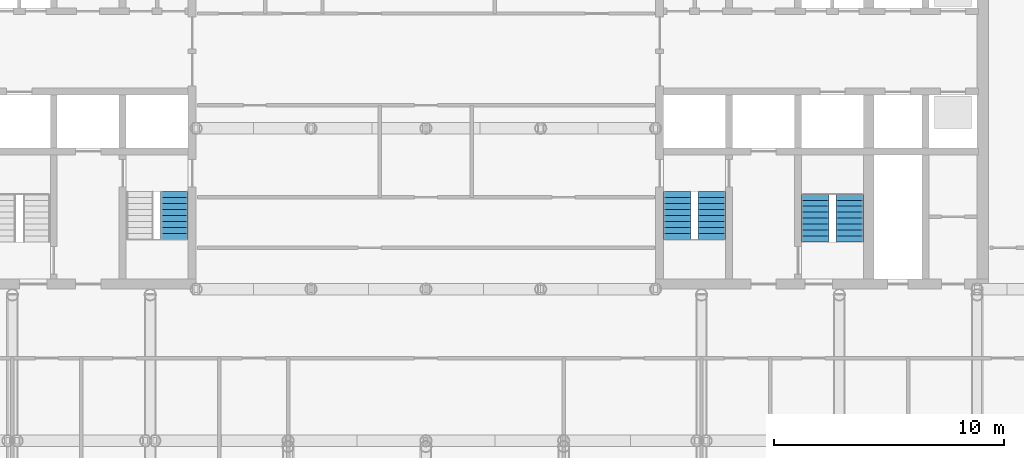
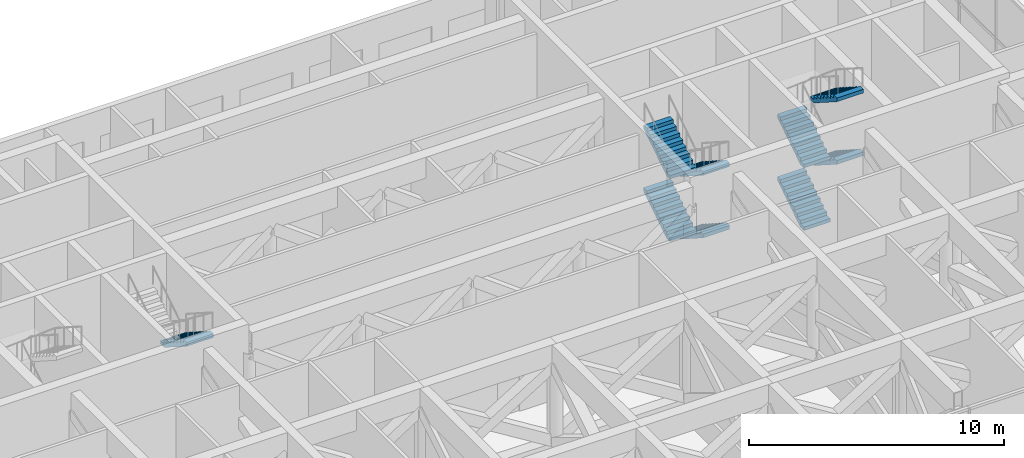
# One storey, part 21 of 25: 9 stair flights, 3 elements without a shape of their own.
"""IFC4 building model written with IfcOpenShell, lengths in metres."""

from ifc_helpers import new_model, si_unit, direction, frame, origin, place, context, subcontext, project, spatial, polyline, outline, extrude, material, type_object, element, aggregate, save


model = new_model("IFC4")

# Units and contexts
model_context = context("Model", 3, precision=1e-05, world=origin(), true_north=direction((0.0, 1.0)))
body_context = subcontext(model_context, "Body", "Model", "MODEL_VIEW")
ifc_project = project(units=[si_unit("LENGTHUNIT", "METRE"), si_unit("AREAUNIT", "SQUARE_METRE"), si_unit("VOLUMEUNIT", "CUBIC_METRE"), si_unit("PLANEANGLEUNIT", "RADIAN"), si_unit("MASSUNIT", "GRAM", prefix="KILO")], contexts=[model_context])

# Site, building, storey
site_placement = place(None, origin())
site = spatial("IfcSite", under=ifc_project, at=site_placement, CompositionType="ELEMENT")
building_placement = place(site_placement, origin())
building = spatial("IfcBuilding", under=site, at=building_placement, Name="Torana Hotel and Residences", CompositionType="ELEMENT")
storey_placement = place(building_placement, frame((0.0, 0.0, 106.800048828125)))
storey = spatial("IfcBuildingStorey", under=building, at=storey_placement, Name="L27", CompositionType="ELEMENT", Elevation=106.800048828125)

# Stair, stair flight
ifc_material_1 = material(Name="Concrete C40/50 precast", Category="concrete")
stair_type_1 = type_object("IfcStairType", Name="STAIR ST1 HALF TURN 1200", PredefinedType="HALF_TURN_STAIR", material=ifc_material_1)
stair_1_placement = place(storey_placement, origin())
stair_1 = element("IfcStair", 1, at=stair_1_placement, inside=storey, type_object=stair_type_1, Name="Stair ST1 L27", PredefinedType="HALF_TURN_STAIR")
ifc_material_2 = material(Name="Concrete C40/50 precast", Category="concrete")
stair_flight_type = type_object("IfcStairFlightType", Name="STAIR FLIGHT 1200 PRECAST", PredefinedType="STRAIGHT", material=ifc_material_2)
stair_flight_1_placement = place(storey_placement, frame((-10.949951171875, -10.75, 3.0), z_axis=(0.0, 0.0, 1.0), x_axis=(0.0, -1.0, 0.0)))
stair_flight_1 = element("IfcStairFlight", 2, at=stair_flight_1_placement, type_object=stair_flight_type, Name="ST1 flight 3", NumberOfRisers=9, NumberOfTreads=8, PredefinedType="STRAIGHT", RiserHeight=0.166666667, TreadLength=0.26, context=body_context, shape_type="SweptSolid", body=[
    extrude(outline(polyline([(0.0, 0.0), (0.0, 0.166748046875), (0.260009765625, 0.166748046875), (0.260009765625, 0.333251953125), (0.52001953125, 0.333251953125), (0.52001953125, 0.5), (0.780029296875, 0.5), (0.780029296875, 0.666748046875), (1.0400390625, 0.666748046875), (1.0400390625, 0.833251953125), (1.300048828125, 0.833251953125), (1.300048828125, 1.0), (1.56005859375, 1.0), (1.56005859375, 1.166748046875), (1.820068359375, 1.166748046875), (1.820068359375, 1.333251953125), (2.080078125, 1.333251953125), (2.080078125, 1.5), (2.080078125, 1.1552734375), (0.27783203125, 0.0), (0.0, 0.0)])), frame((0.0, 0.60009765625, 0.0), z_axis=(0.0, -1.0, 0.0), x_axis=(1.0, 0.0, 0.0)), (0.0, 0.0, 1.0), 1.199951171875),
])
aggregate(stair_1, [stair_flight_1])

# Stair, stair flights
ifc_material_3 = material(Name="Concrete C40/50 precast", Category="concrete")
stair_type_2 = type_object("IfcStairType", Name="STAIR ST3 HALF TURN 1200", PredefinedType="HALF_TURN_STAIR", material=ifc_material_3)
stair_2_placement = place(storey_placement, origin())
stair_2 = element("IfcStair", 3, at=stair_2_placement, inside=storey, type_object=stair_type_2, Name="Stair ST3 L27", PredefinedType="HALF_TURN_STAIR")
stair_flight_2_placement = place(storey_placement, frame((12.449951171875, -10.75, 0.0), z_axis=(0.0, 0.0, 1.0), x_axis=(0.0, -1.0, 0.0)))
stair_flight_2 = element("IfcStairFlight", 4, at=stair_flight_2_placement, type_object=stair_flight_type, Name="ST3 flight 1", NumberOfRisers=9, NumberOfTreads=8, PredefinedType="STRAIGHT", RiserHeight=0.166666667, TreadLength=0.26, context=body_context, shape_type="SweptSolid", body=[
    extrude(outline(polyline([(0.0, 0.0), (0.0, 0.166748046875), (0.260009765625, 0.166748046875), (0.260009765625, 0.333251953125), (0.52001953125, 0.333251953125), (0.52001953125, 0.5), (0.780029296875, 0.5), (0.780029296875, 0.666748046875), (1.0400390625, 0.666748046875), (1.0400390625, 0.833251953125), (1.300048828125, 0.833251953125), (1.300048828125, 1.0), (1.56005859375, 1.0), (1.56005859375, 1.166748046875), (1.820068359375, 1.166748046875), (1.820068359375, 1.333251953125), (2.080078125, 1.333251953125), (2.080078125, 1.5), (2.080078125, 1.1552734375), (0.27783203125, 0.0), (0.0, 0.0)])), frame((0.0, 0.60009765625, 0.0), z_axis=(0.0, -1.0, 0.0), x_axis=(1.0, 0.0, 0.0)), (0.0, 0.0, 1.0), 1.199951171875),
])
stair_flight_3_placement = place(storey_placement, frame((10.949951171875, -12.830078125, 1.5), z_axis=(0.0, 0.0, 1.0), x_axis=(0.0, 1.0, 0.0)))
stair_flight_3 = element("IfcStairFlight", 5, at=stair_flight_3_placement, type_object=stair_flight_type, Name="ST3 flight 2", NumberOfRisers=9, NumberOfTreads=8, PredefinedType="STRAIGHT", RiserHeight=0.166666667, TreadLength=0.26, context=body_context, shape_type="SweptSolid", body=[
    extrude(outline(polyline([(0.0, 0.0), (0.0, 0.166748046875), (0.260009765625, 0.166748046875), (0.260009765625, 0.333251953125), (0.52001953125, 0.333251953125), (0.52001953125, 0.5), (0.780029296875, 0.5), (0.780029296875, 0.666748046875), (1.0400390625, 0.666748046875), (1.0400390625, 0.833251953125), (1.300048828125, 0.833251953125), (1.300048828125, 1.0), (1.56005859375, 1.0), (1.56005859375, 1.166748046875), (1.820068359375, 1.166748046875), (1.820068359375, 1.333251953125), (2.080078125, 1.333251953125), (2.080078125, 1.5), (2.080078125, 1.1552734375), (0.27783203125, 0.0), (0.0, 0.0)])), frame((0.0, 0.60009765625, 0.0), z_axis=(0.0, -1.0, 0.0), x_axis=(1.0, 0.0, 0.0)), (0.0, 0.0, 1.0), 1.199951171875),
])
stair_flight_4_placement = place(storey_placement, frame((12.449951171875, -10.75, 3.0), z_axis=(0.0, 0.0, 1.0), x_axis=(0.0, -1.0, 0.0)))
stair_flight_4 = element("IfcStairFlight", 6, at=stair_flight_4_placement, type_object=stair_flight_type, Name="ST3 flight 3", NumberOfRisers=9, NumberOfTreads=8, PredefinedType="STRAIGHT", RiserHeight=0.166666667, TreadLength=0.26, context=body_context, shape_type="SweptSolid", body=[
    extrude(outline(polyline([(0.0, 0.0), (0.0, 0.166748046875), (0.260009765625, 0.166748046875), (0.260009765625, 0.333251953125), (0.52001953125, 0.333251953125), (0.52001953125, 0.5), (0.780029296875, 0.5), (0.780029296875, 0.666748046875), (1.0400390625, 0.666748046875), (1.0400390625, 0.833251953125), (1.300048828125, 0.833251953125), (1.300048828125, 1.0), (1.56005859375, 1.0), (1.56005859375, 1.166748046875), (1.820068359375, 1.166748046875), (1.820068359375, 1.333251953125), (2.080078125, 1.333251953125), (2.080078125, 1.5), (2.080078125, 1.1552734375), (0.27783203125, 0.0), (0.0, 0.0)])), frame((0.0, 0.60009765625, 0.0), z_axis=(0.0, -1.0, 0.0), x_axis=(1.0, 0.0, 0.0)), (0.0, 0.0, 1.0), 1.199951171875),
])
stair_flight_5_placement = place(storey_placement, frame((10.949951171875, -12.830078125, 4.5), z_axis=(0.0, 0.0, 1.0), x_axis=(0.0, 1.0, 0.0)))
stair_flight_5 = element("IfcStairFlight", 7, at=stair_flight_5_placement, type_object=stair_flight_type, Name="ST3 flight 4", NumberOfRisers=9, NumberOfTreads=8, PredefinedType="STRAIGHT", RiserHeight=0.166666667, TreadLength=0.26, context=body_context, shape_type="SweptSolid", body=[
    extrude(outline(polyline([(0.0, 0.0), (0.0, 0.166748046875), (0.260009765625, 0.166748046875), (0.260009765625, 0.333251953125), (0.52001953125, 0.333251953125), (0.52001953125, 0.5), (0.780029296875, 0.5), (0.780029296875, 0.666748046875), (1.0400390625, 0.666748046875), (1.0400390625, 0.833251953125), (1.300048828125, 0.833251953125), (1.300048828125, 1.0), (1.56005859375, 1.0), (1.56005859375, 1.166748046875), (1.820068359375, 1.166748046875), (1.820068359375, 1.333251953125), (2.080078125, 1.333251953125), (2.080078125, 1.5), (2.080078125, 1.1552734375), (0.27783203125, 0.0), (0.0, 0.0)])), frame((0.0, 0.60009765625, 0.0), z_axis=(0.0, -1.0, 0.0), x_axis=(1.0, 0.0, 0.0)), (0.0, 0.0, 1.0), 1.199951171875),
])
aggregate(stair_2, [stair_flight_2, stair_flight_3, stair_flight_4, stair_flight_5])

ifc_material_4 = material(Name="Concrete C40/50 precast", Category="concrete")
stair_type_3 = type_object("IfcStairType", Name="STAIR ST4 HALF TURN 1200", PredefinedType="HALF_TURN_STAIR", material=ifc_material_4)
stair_3_placement = place(storey_placement, origin())
stair_3 = element("IfcStair", 8, at=stair_3_placement, inside=storey, type_object=stair_type_3, Name="Stair ST4 L27", PredefinedType="HALF_TURN_STAIR")
stair_flight_6_placement = place(storey_placement, frame((16.949951171875, -12.949951171875, 0.0), z_axis=(0.0, 0.0, 1.0), x_axis=(0.0, 1.0, 0.0)))
stair_flight_6 = element("IfcStairFlight", 9, at=stair_flight_6_placement, type_object=stair_flight_type, Name="ST4 flight 1", NumberOfRisers=9, NumberOfTreads=8, PredefinedType="STRAIGHT", RiserHeight=0.166666667, TreadLength=0.26, context=body_context, shape_type="SweptSolid", body=[
    extrude(outline(polyline([(0.0, 0.0), (0.0, 0.166748046875), (0.260009765625, 0.166748046875), (0.260009765625, 0.333251953125), (0.52001953125, 0.333251953125), (0.52001953125, 0.5), (0.780029296875, 0.5), (0.780029296875, 0.666748046875), (1.0400390625, 0.666748046875), (1.0400390625, 0.833251953125), (1.300048828125, 0.833251953125), (1.300048828125, 1.0), (1.56005859375, 1.0), (1.56005859375, 1.166748046875), (1.820068359375, 1.166748046875), (1.820068359375, 1.333251953125), (2.080078125, 1.333251953125), (2.080078125, 1.5), (2.080078125, 1.1552734375), (0.27783203125, 0.0), (0.0, 0.0)])), frame((0.0, 0.60009765625, 0.0), z_axis=(0.0, -1.0, 0.0), x_axis=(1.0, 0.0, 0.0)), (0.0, 0.0, 1.0), 1.199951171875),
])
stair_flight_7_placement = place(storey_placement, frame((18.449951171875, -10.8701171875, 1.5), z_axis=(0.0, 0.0, 1.0), x_axis=(0.0, -1.0, 0.0)))
stair_flight_7 = element("IfcStairFlight", 10, at=stair_flight_7_placement, type_object=stair_flight_type, Name="ST4 flight 2", NumberOfRisers=9, NumberOfTreads=8, PredefinedType="STRAIGHT", RiserHeight=0.166666667, TreadLength=0.26, context=body_context, shape_type="SweptSolid", body=[
    extrude(outline(polyline([(0.0, 0.0), (0.0, 0.166748046875), (0.260009765625, 0.166748046875), (0.260009765625, 0.333251953125), (0.52001953125, 0.333251953125), (0.52001953125, 0.5), (0.780029296875, 0.5), (0.780029296875, 0.666748046875), (1.0400390625, 0.666748046875), (1.0400390625, 0.833251953125), (1.300048828125, 0.833251953125), (1.300048828125, 1.0), (1.56005859375, 1.0), (1.56005859375, 1.166748046875), (1.820068359375, 1.166748046875), (1.820068359375, 1.333251953125), (2.080078125, 1.333251953125), (2.080078125, 1.5), (2.080078125, 1.1552734375), (0.27783203125, 0.0), (0.0, 0.0)])), frame((0.0, 0.60009765625, 0.0), z_axis=(0.0, -1.0, 0.0), x_axis=(1.0, 0.0, 0.0)), (0.0, 0.0, 1.0), 1.199951171875),
])
stair_flight_8_placement = place(storey_placement, frame((16.949951171875, -12.949951171875, 3.0), z_axis=(0.0, 0.0, 1.0), x_axis=(0.0, 1.0, 0.0)))
stair_flight_8 = element("IfcStairFlight", 11, at=stair_flight_8_placement, type_object=stair_flight_type, Name="ST4 flight 3", NumberOfRisers=9, NumberOfTreads=8, PredefinedType="STRAIGHT", RiserHeight=0.166666667, TreadLength=0.26, context=body_context, shape_type="SweptSolid", body=[
    extrude(outline(polyline([(0.0, 0.0), (0.0, 0.166748046875), (0.260009765625, 0.166748046875), (0.260009765625, 0.333251953125), (0.52001953125, 0.333251953125), (0.52001953125, 0.5), (0.780029296875, 0.5), (0.780029296875, 0.666748046875), (1.0400390625, 0.666748046875), (1.0400390625, 0.833251953125), (1.300048828125, 0.833251953125), (1.300048828125, 1.0), (1.56005859375, 1.0), (1.56005859375, 1.166748046875), (1.820068359375, 1.166748046875), (1.820068359375, 1.333251953125), (2.080078125, 1.333251953125), (2.080078125, 1.5), (2.080078125, 1.1552734375), (0.27783203125, 0.0), (0.0, 0.0)])), frame((0.0, 0.60009765625, 0.0), z_axis=(0.0, -1.0, 0.0), x_axis=(1.0, 0.0, 0.0)), (0.0, 0.0, 1.0), 1.199951171875),
])
stair_flight_9_placement = place(storey_placement, frame((18.449951171875, -10.8701171875, 4.5), z_axis=(0.0, 0.0, 1.0), x_axis=(0.0, -1.0, 0.0)))
stair_flight_9 = element("IfcStairFlight", 12, at=stair_flight_9_placement, type_object=stair_flight_type, Name="ST4 flight 4", NumberOfRisers=9, NumberOfTreads=8, PredefinedType="STRAIGHT", RiserHeight=0.166666667, TreadLength=0.26, context=body_context, shape_type="SweptSolid", body=[
    extrude(outline(polyline([(0.0, 0.0), (0.0, 0.166748046875), (0.260009765625, 0.166748046875), (0.260009765625, 0.333251953125), (0.52001953125, 0.333251953125), (0.52001953125, 0.5), (0.780029296875, 0.5), (0.780029296875, 0.666748046875), (1.0400390625, 0.666748046875), (1.0400390625, 0.833251953125), (1.300048828125, 0.833251953125), (1.300048828125, 1.0), (1.56005859375, 1.0), (1.56005859375, 1.166748046875), (1.820068359375, 1.166748046875), (1.820068359375, 1.333251953125), (2.080078125, 1.333251953125), (2.080078125, 1.5), (2.080078125, 1.1552734375), (0.27783203125, 0.0), (0.0, 0.0)])), frame((0.0, 0.60009765625, 0.0), z_axis=(0.0, -1.0, 0.0), x_axis=(1.0, 0.0, 0.0)), (0.0, 0.0, 1.0), 1.199951171875),
])
aggregate(stair_3, [stair_flight_6, stair_flight_7, stair_flight_8, stair_flight_9])

save(model, "model.ifc")
